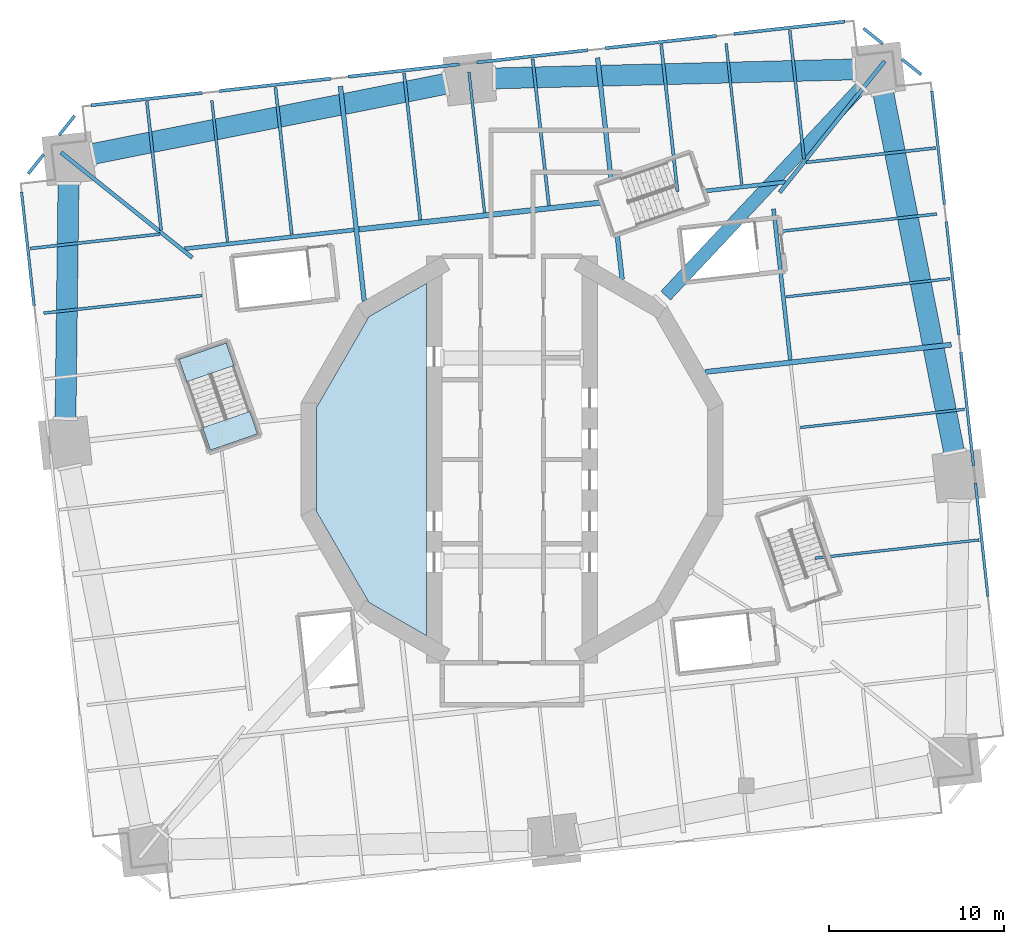
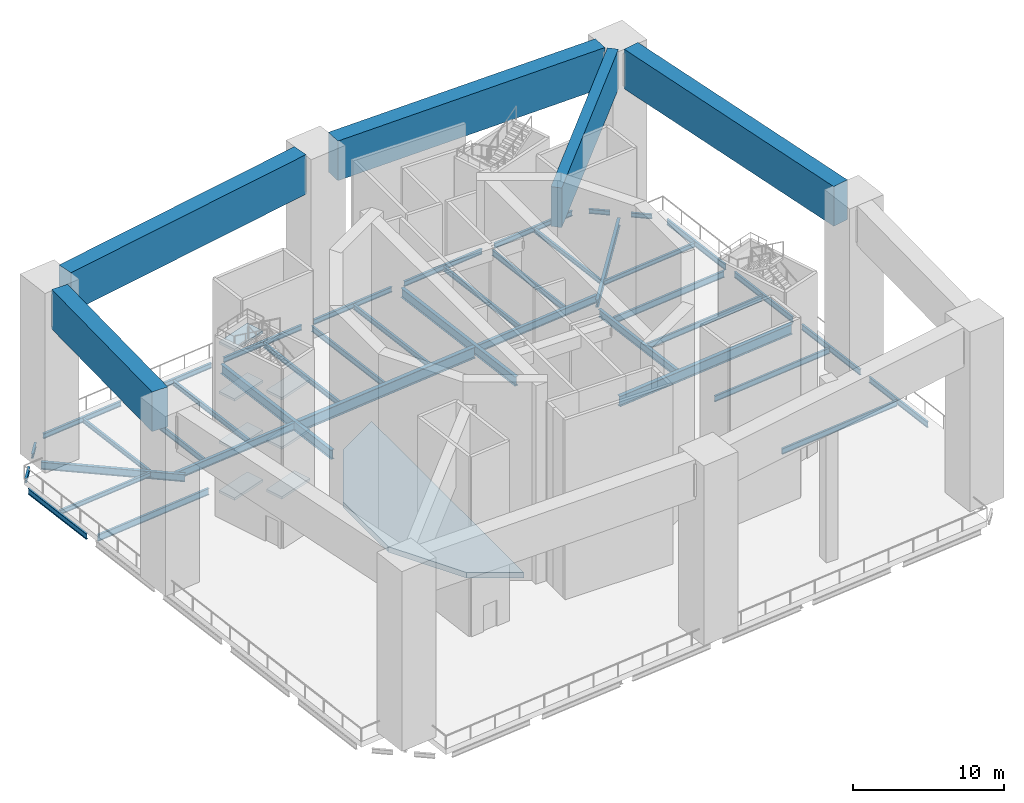
# One storey, part 2 of 13: 45 beams, 8 slabs, 1 element without a shape of its own.
"""IFC4 building model written with IfcOpenShell, lengths in metres."""

from ifc_helpers import new_model, si_unit, direction, frame, origin, origin_2d, place, context, subcontext, project, spatial, polyline, rectangle, i_section, outline, extrude, material, layer, layer_set, material_profile, profile_set, type_object, element, aggregate, save


model = new_model("IFC4")

# Units and contexts
model_context = context("Model", 3, precision=1e-05, world=origin(), true_north=direction((0.0, 1.0)))
body_context = subcontext(model_context, "Body", "Model", "MODEL_VIEW")
ifc_project = project(units=[si_unit("LENGTHUNIT", "METRE"), si_unit("AREAUNIT", "SQUARE_METRE"), si_unit("VOLUMEUNIT", "CUBIC_METRE"), si_unit("PLANEANGLEUNIT", "RADIAN"), si_unit("MASSUNIT", "GRAM", prefix="KILO")], contexts=[model_context])

# Site, building, storey
site_placement = place(None, origin())
site = spatial("IfcSite", under=ifc_project, at=site_placement, CompositionType="ELEMENT")
building_placement = place(site_placement, origin())
building = spatial("IfcBuilding", under=site, at=building_placement, Name="Cantera Rosa Tower", CompositionType="ELEMENT")
storey_placement = place(building_placement, frame((0.0, 0.0, 84.300048828125)))
storey = spatial("IfcBuildingStorey", under=building, at=storey_placement, Name="L18", CompositionType="ELEMENT", Elevation=84.300048828125)

# Beams
ifc_material_1 = material(Name="Concrete C70/85", Category="concrete")
ifc_material_profile_1 = material_profile(ifc_material_1, rectangle(XDim=0.75, YDim=3.199951171875, at=origin_2d()), Name="RC OUTRIGGER BEAM RC750X3200 C70/85")
ifc_profile_set_1 = profile_set([ifc_material_profile_1], Name="Concrete C70/85")
beam_type_1 = type_object("IfcBeamType", Name="RC OUTRIGGER BEAM RC750X3200 C70/85", PredefinedType="BEAM", material=ifc_profile_set_1)
beam_1_placement = place(storey_placement, frame((8.791015625, 9.372314453125, 12.89990234375), z_axis=(0.68412238268, 0.729367236388, 0.0), x_axis=(-0.729367236388, 0.68412238268, 0.0)))
element("IfcBeam", 1, at=beam_1_placement, inside=storey, type_object=beam_type_1, Name="OR-N18 L18", PredefinedType="BEAM", context=body_context, shape_type="SweptSolid", body=[
    extrude(rectangle(XDim=0.75, YDim=3.199951171875, at=origin_2d()), origin(), (0.0, 0.0, 1.0), 16.441650390625),
])
ifc_material_2 = material(Name="Concrete C70/85", Category="concrete")
ifc_material_profile_2 = material_profile(ifc_material_2, rectangle(XDim=1.199951171875, YDim=3.199951171875, at=origin_2d()), Name="RC PORTAL TRANSFER GIRDER RC1200X3200 C70/85")
ifc_profile_set_2 = profile_set([ifc_material_profile_2], Name="Concrete C70/85")
beam_type_2 = type_object("IfcBeamType", Name="RC PORTAL TRANSFER GIRDER RC1200X3200 C70/85", PredefinedType="BEAM", material=ifc_profile_set_2)
beam_2_placement = place(storey_placement, frame((25.299072265625, 0.37841796875, 12.89990234375), z_axis=(-0.193636851945, 0.981073274312, 0.0), x_axis=(-0.981073274312, -0.193636851945, 0.0)))
element("IfcBeam", 2, at=beam_2_placement, inside=storey, type_object=beam_type_2, Name="PGB-L18-4", PredefinedType="BEAM", context=body_context, shape_type="SweptSolid", body=[
    extrude(rectangle(XDim=1.199951171875, YDim=3.199951171875, at=origin_2d()), origin(), (0.0, 0.0, 1.0), 21.044189453125),
])
beam_3_placement = place(storey_placement, frame((19.613037109375, 22.315185546875, 12.89990234375), z_axis=(-0.999689876079, -0.02490284451, 0.0), x_axis=(0.02490284451, -0.999689876079, 0.0)))
element("IfcBeam", 3, at=beam_3_placement, inside=storey, type_object=beam_type_2, Name="PGB-L18-5", PredefinedType="BEAM", context=body_context, shape_type="SweptSolid", body=[
    extrude(rectangle(XDim=1.199951171875, YDim=3.199951171875, at=origin_2d()), origin(), (0.0, 0.0, 1.0), 20.685791015625),
])
beam_4_placement = place(storey_placement, frame((-3.739990234375, 21.503173828125, 12.89990234375), z_axis=(-0.980821880381, -0.194906231214, 0.0), x_axis=(0.194906231214, -0.980821880381, 0.0)))
element("IfcBeam", 4, at=beam_4_placement, inside=storey, type_object=beam_type_2, Name="PGB-L18-6", PredefinedType="BEAM", context=body_context, shape_type="SweptSolid", body=[
    extrude(rectangle(XDim=1.199951171875, YDim=3.199951171875, at=origin_2d()), origin(), (0.0, 0.0, 1.0), 20.685546875),
])
beam_5_placement = place(storey_placement, frame((-25.3701171875, 15.8583984375, 12.89990234375), z_axis=(-0.012761777483, -0.999918565202, 0.0), x_axis=(0.999918565202, -0.012761777483, 0.0)))
element("IfcBeam", 5, at=beam_5_placement, inside=storey, type_object=beam_type_2, Name="PGB-L18-7", PredefinedType="BEAM", context=body_context, shape_type="SweptSolid", body=[
    extrude(rectangle(XDim=1.199951171875, YDim=3.199951171875, at=origin_2d()), origin(), (0.0, 0.0, 1.0), 13.563720703125),
])
ifc_material_3 = material(Name="Steel ASTM A992 (Fy 345 MPa)", Category="steel")
ifc_material_profile_3 = material_profile(ifc_material_3, i_section(OverallWidth=0.154052734375, OverallDepth=0.4599609375, WebThickness=0.009033203125, FlangeThickness=0.015380859375, FilletRadius=0.01025390625, at=origin_2d()), Name="W460X68")
ifc_profile_set_3 = profile_set([ifc_material_profile_3], Name="Steel ASTM A992 (Fy 345 MPa)")
beam_type_3 = type_object("IfcBeamType", Name="STEEL BEAM W460X68", PredefinedType="BEAM", material=ifc_profile_set_3)
beam_6_placement = place(storey_placement, frame((12.249755859375, 23.796630859375, -0.679931640625), z_axis=(0.110312435488, -0.993896959738, 0.0), x_axis=(0.993896959738, 0.110312435488, 0.0)))
element("IfcBeam", 6, at=beam_6_placement, inside=storey, type_object=beam_type_3, Name="G-Z1-05 L18", PredefinedType="BEAM", context=body_context, shape_type="SweptSolid", body=[
    extrude(i_section(OverallWidth=0.154052734375, OverallDepth=0.4599609375, WebThickness=0.009033203125, FlangeThickness=0.015380859375, FilletRadius=0.01025390625, at=origin_2d()), origin(), (0.0, 0.0, 1.0), 8.10009765625),
])
for number, where, z_axis, x_axis, name in (
    (7, (-2.4599609375, 22.163818359375, -0.679931640625), (0.110315740112, -0.993896592953, 0.0), (0.993896592953, 0.110315740112, 0.0), "G-Z1-07 L18"),
    (8, (-17.169677734375, 20.53125, -0.679931640625), (0.110315740112, -0.993896592953, 0.0), (0.993896592953, 0.110315740112, 0.0), "G-Z1-09 L18"),
):
    element("IfcBeam", number, at=place(storey_placement, frame(where, z_axis=z_axis, x_axis=x_axis)), inside=storey, type_object=beam_type_3, Name=name, PredefinedType="BEAM", context=body_context, shape_type="SweptSolid", body=[
        extrude(i_section(OverallWidth=0.154052734375, OverallDepth=0.4599609375, WebThickness=0.009033203125, FlangeThickness=0.015380859375, FilletRadius=0.01025390625, at=origin_2d()), origin(), (0.0, 0.0, 1.0), 8.099853515625),
    ])
ifc_material_4 = material(Name="Steel ASTM A992 (Fy 345 MPa)", Category="steel")
ifc_material_profile_4 = material_profile(ifc_material_4, i_section(OverallWidth=0.166015625, OverallDepth=0.528076171875, WebThickness=0.009765625, FlangeThickness=0.013671875, FilletRadius=0.0126953125, at=origin_2d()), Name="W530X74")
ifc_profile_set_4 = profile_set([ifc_material_profile_4], Name="Steel ASTM A992 (Fy 345 MPa)")
beam_type_4 = type_object("IfcBeamType", Name="STEEL BEAM W530X74", PredefinedType="BEAM", material=ifc_profile_set_4)
for number, where, z_axis, x_axis, name in (
    (9, (24.298828125, 14.046142578125, -0.714111328125), (-0.993896161189, -0.110319630049, 0.0), (0.110319630049, -0.993896161189, 0.0), "G-Z1-04 L18"),
    (10, (-26.78759765625, 8.376220703125, -0.714111328125), (0.993899428859, 0.110290186845, 0.0), (-0.110290186845, 0.993899428859, 0.0), "G-Z1-15 L18"),
):
    element("IfcBeam", number, at=place(storey_placement, frame(where, z_axis=z_axis, x_axis=x_axis)), inside=storey, type_object=beam_type_4, Name=name, PredefinedType="BEAM", context=body_context, shape_type="SweptSolid", body=[
        extrude(i_section(OverallWidth=0.166015625, OverallDepth=0.528076171875, WebThickness=0.009765625, FlangeThickness=0.013671875, FilletRadius=0.0126953125, at=origin_2d()), origin(), (0.0, 0.0, 1.0), 9.10009765625),
    ])
ifc_material_5 = material(Name="Steel ASTM A992 (Fy 345 MPa)", Category="steel")
ifc_material_profile_5 = material_profile(ifc_material_5, i_section(OverallWidth=0.22802734375, OverallDepth=0.60205078125, WebThickness=0.010498046875, FlangeThickness=0.014892578125, FilletRadius=0.0126953125, at=origin_2d()), Name="W610X101")
ifc_profile_set_5 = profile_set([ifc_material_profile_5], Name="Steel ASTM A992 (Fy 345 MPa)")
beam_type_5 = type_object("IfcBeamType", Name="STEEL BEAM W610X101", PredefinedType="BEAM", material=ifc_profile_set_5)
beam_7_placement = place(storey_placement, frame((21.31591796875, 22.79052734375, -0.7509765625), z_axis=(-0.624787924463, -0.780794498857, 0.0), x_axis=(0.780794498857, -0.624787924463, 0.0)))
element("IfcBeam", 11, at=beam_7_placement, inside=storey, type_object=beam_type_5, Name="CB-Z1-01 L18", PredefinedType="BEAM", context=body_context, shape_type="SweptSolid", body=[
    extrude(i_section(OverallWidth=0.22802734375, OverallDepth=0.60205078125, WebThickness=0.010498046875, FlangeThickness=0.014892578125, FilletRadius=0.0126953125, at=origin_2d()), origin(), (0.0, 0.0, 1.0), 9.616455078125),
])
beam_8_placement = place(storey_placement, frame((-25.794677734375, 17.561767578125, -0.7509765625), z_axis=(0.78078211406, -0.62480340137, 0.0), x_axis=(0.62480340137, 0.78078211406, 0.0)))
element("IfcBeam", 12, at=beam_8_placement, inside=storey, type_object=beam_type_5, Name="CB-Z1-02 L18", PredefinedType="BEAM", context=body_context, shape_type="SweptSolid", body=[
    extrude(i_section(OverallWidth=0.22802734375, OverallDepth=0.60205078125, WebThickness=0.010498046875, FlangeThickness=0.014892578125, FilletRadius=0.0126953125, at=origin_2d()), origin(), (0.0, 0.0, 1.0), 9.61669921875),
])
beam_9_placement = place(storey_placement, frame((15.918212890625, 5.70068359375, -0.7509765625), z_axis=(-0.110298932846, 0.993898458301, 0.0), x_axis=(-0.993898458301, -0.110298932846, 0.0)))
element("IfcBeam", 13, at=beam_9_placement, inside=storey, type_object=beam_type_5, Name="RB-Z1-09 L18", PredefinedType="BEAM", context=body_context, shape_type="SweptSolid", body=[
    extrude(i_section(OverallWidth=0.22802734375, OverallDepth=0.60205078125, WebThickness=0.010498046875, FlangeThickness=0.014892578125, FilletRadius=0.0126953125, at=origin_2d()), origin(), (0.0, 0.0, 1.0), 8.68994140625),
])
ifc_material_6 = material(Name="Steel ASTM A992 (Fy 345 MPa)", Category="steel")
ifc_material_profile_6 = material_profile(ifc_material_6, i_section(OverallWidth=0.22900390625, OverallDepth=0.612060546875, WebThickness=0.011962890625, FlangeThickness=0.01953125, FilletRadius=0.0126953125, at=origin_2d()), Name="W610X125")
ifc_profile_set_6 = profile_set([ifc_material_profile_6], Name="Steel ASTM A992 (Fy 345 MPa)")
beam_type_6 = type_object("IfcBeamType", Name="STEEL BEAM W610X125", PredefinedType="BEAM", material=ifc_profile_set_6)
beam_10_placement = place(storey_placement, frame((-18.744384765625, 12.055908203125, -0.756103515625), z_axis=(0.993898383269, 0.110299608956, 0.0), x_axis=(-0.110299608956, 0.993898383269, 0.0)))
element("IfcBeam", 14, at=beam_10_placement, inside=storey, type_object=beam_type_6, Name="RB-Z1-01 L18", PredefinedType="BEAM", context=body_context, shape_type="SweptSolid", body=[
    extrude(i_section(OverallWidth=0.22900390625, OverallDepth=0.612060546875, WebThickness=0.011962890625, FlangeThickness=0.01953125, FilletRadius=0.0126953125, at=origin_2d()), origin(), (0.0, 0.0, 1.0), 9.750244140625),
])
beam_11_placement = place(storey_placement, frame((5.9541015625, 14.797119140625, -0.756103515625), z_axis=(0.993898078625, 0.110302354035, 0.0), x_axis=(-0.110302354035, 0.993898078625, 0.0)))
element("IfcBeam", 15, at=beam_11_placement, inside=storey, type_object=beam_type_6, Name="RB-Z1-03 L18", PredefinedType="BEAM", context=body_context, shape_type="SweptSolid", body=[
    extrude(i_section(OverallWidth=0.22900390625, OverallDepth=0.612060546875, WebThickness=0.011962890625, FlangeThickness=0.01953125, FilletRadius=0.0126953125, at=origin_2d()), origin(), (0.0, 0.0, 1.0), 9.75),
])
ifc_material_7 = material(Name="Steel ASTM A992 (Fy 345 MPa)", Category="steel")
ifc_material_profile_7 = material_profile(ifc_material_7, i_section(OverallWidth=0.26708984375, OverallDepth=0.75390625, WebThickness=0.01318359375, FlangeThickness=0.01708984375, FilletRadius=0.0166015625, at=origin_2d()), Name="W760X147")
ifc_profile_set_7 = profile_set([ifc_material_profile_7], Name="Steel ASTM A992 (Fy 345 MPa)")
beam_type_7 = type_object("IfcBeamType", Name="STEEL BEAM W760X147", PredefinedType="BEAM", material=ifc_profile_set_7)
beam_12_placement = place(storey_placement, frame((4.894775390625, 22.980224609375, -0.8271484375), z_axis=(0.11031177493, -0.993897033053, 0.0), x_axis=(0.993897033053, 0.11031177493, 0.0)))
element("IfcBeam", 16, at=beam_12_placement, inside=storey, type_object=beam_type_7, Name="G-Z1-06 L18", PredefinedType="BEAM", context=body_context, shape_type="SweptSolid", body=[
    extrude(i_section(OverallWidth=0.26708984375, OverallDepth=0.75390625, WebThickness=0.01318359375, FlangeThickness=0.01708984375, FilletRadius=0.0166015625, at=origin_2d()), origin(), (0.0, 0.0, 1.0), 12.754638671875),
])
beam_13_placement = place(storey_placement, frame((-9.814697265625, 21.34765625, -0.8271484375), z_axis=(0.110292782244, -0.993899140851, 0.0), x_axis=(0.993899140851, 0.110292782244, 0.0)))
element("IfcBeam", 17, at=beam_13_placement, inside=storey, type_object=beam_type_7, Name="G-Z1-08 L18", PredefinedType="BEAM", context=body_context, shape_type="SweptSolid", body=[
    extrude(i_section(OverallWidth=0.26708984375, OverallDepth=0.75390625, WebThickness=0.01318359375, FlangeThickness=0.01708984375, FilletRadius=0.0166015625, at=origin_2d()), origin(), (0.0, 0.0, 1.0), 12.360595703125),
])
ifc_material_8 = material(Name="Steel ASTM A992 (Fy 345 MPa)", Category="steel")
ifc_material_profile_8 = material_profile(ifc_material_8, i_section(OverallWidth=0.2919921875, OverallDepth=0.8359375, WebThickness=0.013916015625, FlangeThickness=0.018798828125, FilletRadius=0.017822265625, at=origin_2d()), Name="W840X176")
ifc_profile_set_8 = profile_set([ifc_material_profile_8], Name="Steel ASTM A992 (Fy 345 MPa)")
beam_type_8 = type_object("IfcBeamType", Name="STEEL BEAM W840X176", PredefinedType="BEAM", material=ifc_profile_set_8)
beam_14_placement = place(storey_placement, frame((25.12841796875, 6.572021484375, -0.8681640625), z_axis=(-0.993897599241, -0.110306673519, 0.0), x_axis=(0.110306673519, -0.993897599241, 0.0)))
element("IfcBeam", 18, at=beam_14_placement, inside=storey, type_object=beam_type_8, Name="G-Z1-03 L18", PredefinedType="BEAM", context=body_context, shape_type="SweptSolid", body=[
    extrude(i_section(OverallWidth=0.2919921875, OverallDepth=0.8359375, WebThickness=0.013916015625, FlangeThickness=0.018798828125, FilletRadius=0.017822265625, at=origin_2d()), origin(), (0.0, 0.0, 1.0), 14.1650390625),
])
ifc_material_9 = material(Name="Steel ASTM A992 (Fy 345 MPa)", Category="steel")
ifc_material_profile_9 = material_profile(ifc_material_9, i_section(OverallWidth=0.304931640625, OverallDepth=0.9189453125, WebThickness=0.017333984375, FlangeThickness=0.02783203125, FilletRadius=0.01904296875, at=origin_2d()), Name="W920X253")
ifc_profile_set_9 = profile_set([ifc_material_profile_9], Name="Steel ASTM A992 (Fy 345 MPa)")
beam_type_9 = type_object("IfcBeamType", Name="STEEL BEAM W920X253", PredefinedType="BEAM", material=ifc_profile_set_9)
beam_15_placement = place(storey_placement, frame((-8.755615234375, 13.16455078125, -0.90966796875), z_axis=(0.993898099692, 0.110302164209, 0.0), x_axis=(-0.110302164209, 0.993898099692, 0.0)))
element("IfcBeam", 19, at=beam_15_placement, inside=storey, type_object=beam_type_9, Name="RB-Z1-02 L18", PredefinedType="BEAM", context=body_context, shape_type="SweptSolid", body=[
    extrude(i_section(OverallWidth=0.304931640625, OverallDepth=0.9189453125, WebThickness=0.017333984375, FlangeThickness=0.02783203125, FilletRadius=0.01904296875, at=origin_2d()), origin(), (0.0, 0.0, 1.0), 14.499755859375),
])
ifc_material_10 = material(Name="Steel ASTM A992 (Fy 345 MPa)", Category="steel")
ifc_material_profile_10 = material_profile(ifc_material_10, i_section(OverallWidth=0.1708984375, OverallDepth=0.35595703125, WebThickness=0.00732421875, FlangeThickness=0.01171875, FilletRadius=0.010009765625, at=origin_2d()), Name="W360X51")
ifc_profile_set_10 = profile_set([ifc_material_profile_10], Name="Steel ASTM A992 (Fy 345 MPa)")
beam_type_10 = type_object("IfcBeamType", Name="STEEL JOIST W360X51", PredefinedType="JOIST", material=ifc_profile_set_10)
beam_16_placement = place(storey_placement, frame((24.23193359375, 17.82177734375, -0.6279296875), z_axis=(-0.993899688369, -0.110287848199, 0.0), x_axis=(0.110287848199, -0.993899688369, 0.0)))
element("IfcBeam", 20, at=beam_16_placement, inside=storey, type_object=beam_type_10, Name="B-Z1-05 L18", PredefinedType="JOIST", context=body_context, shape_type="SweptSolid", body=[
    extrude(i_section(OverallWidth=0.1708984375, OverallDepth=0.35595703125, WebThickness=0.00732421875, FlangeThickness=0.01171875, FilletRadius=0.010009765625, at=origin_2d()), origin(), (0.0, 0.0, 1.0), 7.4599609375),
])
for number, where, z_axis, x_axis, name in (
    (21, (15.888427734375, 24.552490234375, -0.6279296875), (0.110326513132, -0.993895397162, 0.0), (0.993895397162, 0.110326513132, 0.0), "B-Z1-06 L18"),
    (22, (-20.8857421875, 20.470947265625, -0.6279296875), (0.110326513132, -0.993895397162, 0.0), (0.993895397162, 0.110326513132, 0.0), "B-Z1-11 L18"),
):
    element("IfcBeam", number, at=place(storey_placement, frame(where, z_axis=z_axis, x_axis=x_axis)), inside=storey, type_object=beam_type_10, Name=name, PredefinedType="JOIST", context=body_context, shape_type="SweptSolid", body=[
        extrude(i_section(OverallWidth=0.1708984375, OverallDepth=0.35595703125, WebThickness=0.00732421875, FlangeThickness=0.01171875, FilletRadius=0.010009765625, at=origin_2d()), origin(), (0.0, 0.0, 1.0), 7.39990234375),
    ])
beam_17_placement = place(storey_placement, frame((-27.550048828125, 12.074462890625, -0.6279296875), z_axis=(0.993895702238, 0.110323764768, 0.0), x_axis=(-0.110323764768, 0.993895702238, 0.0)))
element("IfcBeam", 23, at=beam_17_placement, inside=storey, type_object=beam_type_10, Name="B-Z1-18 L18", PredefinedType="JOIST", context=body_context, shape_type="SweptSolid", body=[
    extrude(i_section(OverallWidth=0.1708984375, OverallDepth=0.35595703125, WebThickness=0.00732421875, FlangeThickness=0.01171875, FilletRadius=0.010009765625, at=origin_2d()), origin(), (0.0, 0.0, 1.0), 7.4599609375),
])
ifc_material_11 = material(Name="Steel ASTM A992 (Fy 345 MPa)", Category="steel")
ifc_material_profile_11 = material_profile(ifc_material_11, i_section(OverallWidth=0.177978515625, OverallDepth=0.406005859375, WebThickness=0.0078125, FlangeThickness=0.0126953125, FilletRadius=0.01025390625, at=origin_2d()), Name="W410X60")
ifc_profile_set_11 = profile_set([ifc_material_profile_11], Name="Steel ASTM A992 (Fy 345 MPa)")
beam_type_11 = type_object("IfcBeamType", Name="STEEL JOIST W410X60", PredefinedType="JOIST", material=ifc_profile_set_11)
for number, where, z_axis, x_axis, name in (
    (24, (8.53369140625, 23.736328125, -0.653076171875), (0.110311022989, -0.99389711651, 0.0), (0.99389711651, 0.110311022989, 0.0), "B-Z1-07 L18"),
    (25, (1.178955078125, 22.919921875, -0.653076171875), (0.110311022989, -0.99389711651, 0.0), (0.99389711651, 0.110311022989, 0.0), "B-Z1-08 L18"),
    (26, (-6.176025390625, 22.103515625, -0.653076171875), (0.110311022989, -0.99389711651, 0.0), (0.99389711651, 0.110311022989, 0.0), "B-Z1-09 L18"),
    (27, (-13.53076171875, 21.287353515625, -0.653076171875), (0.110311022989, -0.99389711651, 0.0), (0.99389711651, 0.110311022989, 0.0), "B-Z1-10 L18"),
):
    element("IfcBeam", number, at=place(storey_placement, frame(where, z_axis=z_axis, x_axis=x_axis)), inside=storey, type_object=beam_type_11, Name=name, PredefinedType="JOIST", context=body_context, shape_type="SweptSolid", body=[
        extrude(i_section(OverallWidth=0.177978515625, OverallDepth=0.406005859375, WebThickness=0.0078125, FlangeThickness=0.0126953125, FilletRadius=0.01025390625, at=origin_2d()), origin(), (0.0, 0.0, 1.0), 8.449951171875),
    ])
ifc_material_12 = material(Name="Steel ASTM A992 (Fy 345 MPa)", Category="steel")
ifc_material_profile_12 = material_profile(ifc_material_12, i_section(OverallWidth=0.154052734375, OverallDepth=0.4599609375, WebThickness=0.009033203125, FlangeThickness=0.015380859375, FilletRadius=0.01025390625, at=origin_2d()), Name="W460X68")
ifc_profile_set_12 = profile_set([ifc_material_profile_12], Name="Steel ASTM A992 (Fy 345 MPa)")
beam_type_12 = type_object("IfcBeamType", Name="STEEL JOIST W460X68", PredefinedType="JOIST", material=ifc_profile_set_12)
for number, where, z_axis, x_axis, name in (
    (28, (26.720458984375, -4.600341796875, -0.679931640625), (-0.993896645353, -0.110315268011, 0.0), (0.110315268011, -0.993896645353, 0.0), "B-Z1-02 L18"),
    (29, (25.89111328125, 2.87353515625, -0.679931640625), (-0.993899477629, -0.110289747342, 0.0), (0.110289747342, -0.993899477629, 0.0), "B-Z1-03 L18"),
    (30, (25.0615234375, 10.34765625, -0.679931640625), (-0.993896645353, -0.110315268011, 0.0), (0.110315268011, -0.993896645353, 0.0), "B-Z1-04 L18"),
):
    element("IfcBeam", number, at=place(storey_placement, frame(where, z_axis=z_axis, x_axis=x_axis)), inside=storey, type_object=beam_type_12, Name=name, PredefinedType="JOIST", context=body_context, shape_type="SweptSolid", body=[
        extrude(i_section(OverallWidth=0.154052734375, OverallDepth=0.4599609375, WebThickness=0.009033203125, FlangeThickness=0.015380859375, FilletRadius=0.01025390625, at=origin_2d()), origin(), (0.0, 0.0, 1.0), 9.449951171875),
    ])
ifc_material_13 = material(Name="Steel ASTM A992 (Fy 345 MPa)", Category="steel")
ifc_material_profile_13 = material_profile(ifc_material_13, i_section(OverallWidth=0.1708984375, OverallDepth=0.35595703125, WebThickness=0.00732421875, FlangeThickness=0.01171875, FilletRadius=0.010009765625, at=origin_2d()), Name="W360X51")
ifc_profile_set_13 = profile_set([ifc_material_profile_13], Name="Steel ASTM A992 (Fy 345 MPa)")
beam_type_13 = type_object("IfcBeamType", Name="STEEL SPANDREL BEAM W360X51", PredefinedType="SPANDREL", material=ifc_profile_set_13)
for number, where, z_axis, x_axis, name in (
    (31, (23.4140625, 22.017333984375, -0.6279296875), (-0.780818280208, 0.624758203863, 0.0), (-0.624758203863, -0.780818280208, 0.0), "EB-Z1-06 L18"),
    (32, (21.205810546875, 23.784423828125, -0.6279296875), (-0.780818280208, 0.624758203863, 0.0), (-0.624758203863, -0.780818280208, 0.0), "EB-Z1-07 L18"),
    (33, (-25.021484375, 19.659912109375, -0.6279296875), (-0.624758203863, -0.780818280208, 0.0), (0.780818280208, -0.624758203863, 0.0), "EB-Z1-14 L18"),
    (34, (-26.78857421875, 17.451416015625, -0.6279296875), (-0.624758203863, -0.780818280208, 0.0), (0.780818280208, -0.624758203863, 0.0), "EB-Z1-15 L18"),
):
    element("IfcBeam", number, at=place(storey_placement, frame(where, z_axis=z_axis, x_axis=x_axis)), inside=storey, type_object=beam_type_13, Name=name, PredefinedType="SPANDREL", context=body_context, shape_type="SweptSolid", body=[
        extrude(i_section(OverallWidth=0.1708984375, OverallDepth=0.35595703125, WebThickness=0.00732421875, FlangeThickness=0.01171875, FilletRadius=0.010009765625, at=origin_2d()), origin(), (0.0, 0.0, 1.0), 1.414306640625),
    ])
ifc_material_14 = material(Name="Steel ASTM A992 (Fy 345 MPa)", Category="steel")
ifc_material_profile_14 = material_profile(ifc_material_14, i_section(OverallWidth=0.177978515625, OverallDepth=0.406005859375, WebThickness=0.0078125, FlangeThickness=0.0126953125, FilletRadius=0.01025390625, at=origin_2d()), Name="W410X60")
ifc_profile_set_14 = profile_set([ifc_material_profile_14], Name="Steel ASTM A992 (Fy 345 MPa)")
beam_type_14 = type_object("IfcBeamType", Name="STEEL SPANDREL BEAM W410X60", PredefinedType="SPANDREL", material=ifc_profile_set_14)
beam_18_placement = place(storey_placement, frame((19.052490234375, 25.0546875, -0.653076171875), z_axis=(-0.993896288542, -0.110318482689, 0.0), x_axis=(0.110318482689, -0.993896288542, 0.0)))
element("IfcBeam", 35, at=beam_18_placement, inside=storey, type_object=beam_type_14, Name="EB-Z1-08 L18", PredefinedType="SPANDREL", context=body_context, shape_type="SweptSolid", body=[
    extrude(i_section(OverallWidth=0.177978515625, OverallDepth=0.406005859375, WebThickness=0.0078125, FlangeThickness=0.0126953125, FilletRadius=0.01025390625, at=origin_2d()), origin(), (0.0, 0.0, 1.0), 6.400146484375),
])
for number, where, z_axis, x_axis, name in (
    (36, (11.697509765625, 24.23828125, -0.653076171875), (-0.993895824271, -0.110322665379, 0.0), (0.110322665379, -0.993895824271, 0.0), "EB-Z1-09 L18"),
    (37, (4.3427734375, 23.422119140625, -0.653076171875), (-0.993895824271, -0.110322665379, 0.0), (0.110322665379, -0.993895824271, 0.0), "EB-Z1-10 L18"),
):
    element("IfcBeam", number, at=place(storey_placement, frame(where, z_axis=z_axis, x_axis=x_axis)), inside=storey, type_object=beam_type_14, Name=name, PredefinedType="SPANDREL", context=body_context, shape_type="SweptSolid", body=[
        extrude(i_section(OverallWidth=0.177978515625, OverallDepth=0.406005859375, WebThickness=0.0078125, FlangeThickness=0.0126953125, FilletRadius=0.01025390625, at=origin_2d()), origin(), (0.0, 0.0, 1.0), 6.39990234375),
    ])
beam_19_placement = place(storey_placement, frame((-3.011962890625, 22.605712890625, -0.653076171875), z_axis=(-0.993896288542, -0.110318482689, 0.0), x_axis=(0.110318482689, -0.993896288542, 0.0)))
element("IfcBeam", 38, at=beam_19_placement, inside=storey, type_object=beam_type_14, Name="EB-Z1-11 L18", PredefinedType="SPANDREL", context=body_context, shape_type="SweptSolid", body=[
    extrude(i_section(OverallWidth=0.177978515625, OverallDepth=0.406005859375, WebThickness=0.0078125, FlangeThickness=0.0126953125, FilletRadius=0.01025390625, at=origin_2d()), origin(), (0.0, 0.0, 1.0), 6.400146484375),
])
beam_20_placement = place(storey_placement, frame((-10.366943359375, 21.789306640625, -0.653076171875), z_axis=(-0.993900006422, -0.110284981906, 0.0), x_axis=(0.110284981906, -0.993900006422, 0.0)))
element("IfcBeam", 39, at=beam_20_placement, inside=storey, type_object=beam_type_14, Name="EB-Z1-12 L18", PredefinedType="SPANDREL", context=body_context, shape_type="SweptSolid", body=[
    extrude(i_section(OverallWidth=0.177978515625, OverallDepth=0.406005859375, WebThickness=0.0078125, FlangeThickness=0.0126953125, FilletRadius=0.01025390625, at=origin_2d()), origin(), (0.0, 0.0, 1.0), 6.39990234375),
])
beam_21_placement = place(storey_placement, frame((-17.7216796875, 20.97314453125, -0.653076171875), z_axis=(-0.993896288542, -0.110318482689, 0.0), x_axis=(0.110318482689, -0.993896288542, 0.0)))
element("IfcBeam", 40, at=beam_21_placement, inside=storey, type_object=beam_type_14, Name="EB-Z1-13 L18", PredefinedType="SPANDREL", context=body_context, shape_type="SweptSolid", body=[
    extrude(i_section(OverallWidth=0.177978515625, OverallDepth=0.406005859375, WebThickness=0.0078125, FlangeThickness=0.0126953125, FilletRadius=0.01025390625, at=origin_2d()), origin(), (0.0, 0.0, 1.0), 6.400146484375),
])
ifc_material_15 = material(Name="Steel ASTM A992 (Fy 345 MPa)", Category="steel")
ifc_material_profile_15 = material_profile(ifc_material_15, i_section(OverallWidth=0.154052734375, OverallDepth=0.4599609375, WebThickness=0.009033203125, FlangeThickness=0.015380859375, FilletRadius=0.01025390625, at=origin_2d()), Name="W460X68")
ifc_profile_set_15 = profile_set([ifc_material_profile_15], Name="Steel ASTM A992 (Fy 345 MPa)")
beam_type_15 = type_object("IfcBeamType", Name="STEEL SPANDREL BEAM W460X68", PredefinedType="SPANDREL", material=ifc_profile_set_15)
for number, where, z_axis, x_axis, name in (
    (41, (27.229248046875, -7.823974609375, -0.679931640625), (-0.110312341265, 0.993896970196, 0.0), (-0.993896970196, -0.110312341265, 0.0), "EB-Z1-02 L18"),
    (42, (26.399658203125, -0.349853515625, -0.679931640625), (-0.110312341265, 0.993896970196, 0.0), (-0.993896970196, -0.110312341265, 0.0), "EB-Z1-03 L18"),
    (43, (25.570068359375, 7.124267578125, -0.679931640625), (-0.110312341265, 0.993896970196, 0.0), (-0.993896970196, -0.110312341265, 0.0), "EB-Z1-04 L18"),
    (44, (24.74072265625, 14.598388671875, -0.679931640625), (-0.110312341265, 0.993896970196, 0.0), (-0.993896970196, -0.110312341265, 0.0), "EB-Z1-05 L18"),
    (45, (-28.058837890625, 15.298095703125, -0.679931640625), (0.110312341265, -0.993896970196, 0.0), (0.993896970196, 0.110312341265, 0.0), "EB-Z1-16 L18"),
):
    element("IfcBeam", number, at=place(storey_placement, frame(where, z_axis=z_axis, x_axis=x_axis)), inside=storey, type_object=beam_type_15, Name=name, PredefinedType="SPANDREL", context=body_context, shape_type="SweptSolid", body=[
        extrude(i_section(OverallWidth=0.154052734375, OverallDepth=0.4599609375, WebThickness=0.009033203125, FlangeThickness=0.015380859375, FilletRadius=0.01025390625, at=origin_2d()), origin(), (0.0, 0.0, 1.0), 6.52001953125),
    ])

# Slab
ifc_material_16 = material(Name="Concrete C50/60", Category="concrete")
ifc_layer_1 = layer(ifc_material_16, 0.449951171875)
ifc_layer_set_1 = layer_set([ifc_layer_1], Name="RC TRANSFER PLATE 450 C50/60")
slab_type_1 = type_object("IfcSlabType", Name="RC TRANSFER PLATE 450 C50/60", PredefinedType="FLOOR", material=ifc_layer_set_1)
slab_1_placement = place(storey_placement, frame((0.0, 0.0, -0.449951171875)))
element("IfcSlab", 46, at=slab_1_placement, inside=storey, type_object=slab_type_1, Name="SLAB L18 floor 1", PredefinedType="FLOOR", context=body_context, shape_type="SweptSolid", body=[
    extrude(outline(polyline([(-4.89990234375, 10.07373046875), (-4.89990234375, -10.07373046875), (-8.179931640625, -8.179931640625), (-11.174072265625, -2.994140625), (-11.174072265625, 2.994140625), (-8.179931640625, 8.179931640625), (-4.89990234375, 10.07373046875)])), origin(), (0.0, 0.0, 1.0), 0.449951171875),
])

# Stair, slabs
ifc_material_17 = material(Name="Concrete C35/45", Category="concrete")
stair_type = type_object("IfcStairType", Name="EXIT STAIR 1350 DOGLEG", PredefinedType="HALF_TURN_STAIR", material=ifc_material_17)
stair_placement = place(storey_placement, origin())
stair = element("IfcStair", 47, at=stair_placement, inside=storey, type_object=stair_type, Name="L18 ST-22", PredefinedType="HALF_TURN_STAIR")
ifc_material_18 = material(Name="Concrete C35/45", Category="concrete")
ifc_layer_2 = layer(ifc_material_18, 0.199951171875)
ifc_layer_set_2 = layer_set([ifc_layer_2], Name="STAIR LANDING 200")
slab_type_2 = type_object("IfcSlabType", Name="STAIR LANDING 200", PredefinedType="LANDING", material=ifc_layer_set_2)
slab_2_placement = place(storey_placement, frame((0.0, 0.0, 1.800048828125)))
slab_2 = element("IfcSlab", 48, at=slab_2_placement, type_object=slab_type_2, Name="ST-22 landing 1", PredefinedType="LANDING", context=body_context, shape_type="SweptSolid", body=[
    extrude(outline(polyline([(-15.904541015625, 5.376220703125), (-16.347900390625, 6.6640625), (-19.042724609375, 5.736328125), (-18.599365234375, 4.448486328125), (-15.904541015625, 5.376220703125)])), origin(), (0.0, 0.0, 1.0), 0.199951171875),
])
slab_3_placement = place(storey_placement, frame((0.0, 0.0, 3.800048828125)))
slab_3 = element("IfcSlab", 49, at=slab_3_placement, type_object=slab_type_2, Name="ST-22 landing 2", PredefinedType="LANDING", context=body_context, shape_type="SweptSolid", body=[
    extrude(outline(polyline([(-14.557373046875, 1.4638671875), (-15.000732421875, 2.75146484375), (-17.695556640625, 1.82373046875), (-17.251953125, 0.535888671875), (-14.557373046875, 1.4638671875)])), origin(), (0.0, 0.0, 1.0), 0.199951171875),
])
slab_4_placement = place(storey_placement, frame((0.0, 0.0, 5.800048828125)))
slab_4 = element("IfcSlab", 50, at=slab_4_placement, type_object=slab_type_2, Name="ST-22 landing 3", PredefinedType="LANDING", context=body_context, shape_type="SweptSolid", body=[
    extrude(outline(polyline([(-15.904541015625, 5.376220703125), (-16.347900390625, 6.6640625), (-19.042724609375, 5.736328125), (-18.599365234375, 4.448486328125), (-15.904541015625, 5.376220703125)])), origin(), (0.0, 0.0, 1.0), 0.199951171875),
])
slab_5_placement = place(storey_placement, frame((0.0, 0.0, 7.800048828125)))
slab_5 = element("IfcSlab", 51, at=slab_5_placement, type_object=slab_type_2, Name="ST-22 landing 4", PredefinedType="LANDING", context=body_context, shape_type="SweptSolid", body=[
    extrude(outline(polyline([(-14.557373046875, 1.4638671875), (-15.000732421875, 2.75146484375), (-17.695556640625, 1.82373046875), (-17.251953125, 0.535888671875), (-14.557373046875, 1.4638671875)])), origin(), (0.0, 0.0, 1.0), 0.199951171875),
])
slab_6_placement = place(storey_placement, frame((0.0, 0.0, 9.800048828125)))
slab_6 = element("IfcSlab", 52, at=slab_6_placement, type_object=slab_type_2, Name="ST-22 landing 5", PredefinedType="LANDING", context=body_context, shape_type="SweptSolid", body=[
    extrude(outline(polyline([(-15.904541015625, 5.376220703125), (-16.347900390625, 6.6640625), (-19.042724609375, 5.736328125), (-18.599365234375, 4.448486328125), (-15.904541015625, 5.376220703125)])), origin(), (0.0, 0.0, 1.0), 0.199951171875),
])
slab_7_placement = place(storey_placement, frame((0.0, 0.0, 11.800048828125)))
slab_7 = element("IfcSlab", 53, at=slab_7_placement, type_object=slab_type_2, Name="ST-22 landing 6", PredefinedType="LANDING", context=body_context, shape_type="SweptSolid", body=[
    extrude(outline(polyline([(-14.557373046875, 1.4638671875), (-15.000732421875, 2.75146484375), (-17.695556640625, 1.82373046875), (-17.251953125, 0.535888671875), (-14.557373046875, 1.4638671875)])), origin(), (0.0, 0.0, 1.0), 0.199951171875),
])
slab_8_placement = place(storey_placement, frame((0.0, 0.0, 13.800048828125)))
slab_8 = element("IfcSlab", 54, at=slab_8_placement, type_object=slab_type_2, Name="ST-22 landing 7", PredefinedType="LANDING", context=body_context, shape_type="SweptSolid", body=[
    extrude(outline(polyline([(-15.904541015625, 5.376220703125), (-16.347900390625, 6.6640625), (-19.042724609375, 5.736328125), (-18.599365234375, 4.448486328125), (-15.904541015625, 5.376220703125)])), origin(), (0.0, 0.0, 1.0), 0.199951171875),
])
aggregate(stair, [slab_2, slab_3, slab_4, slab_5, slab_6, slab_7, slab_8])

save(model, "model.ifc")
